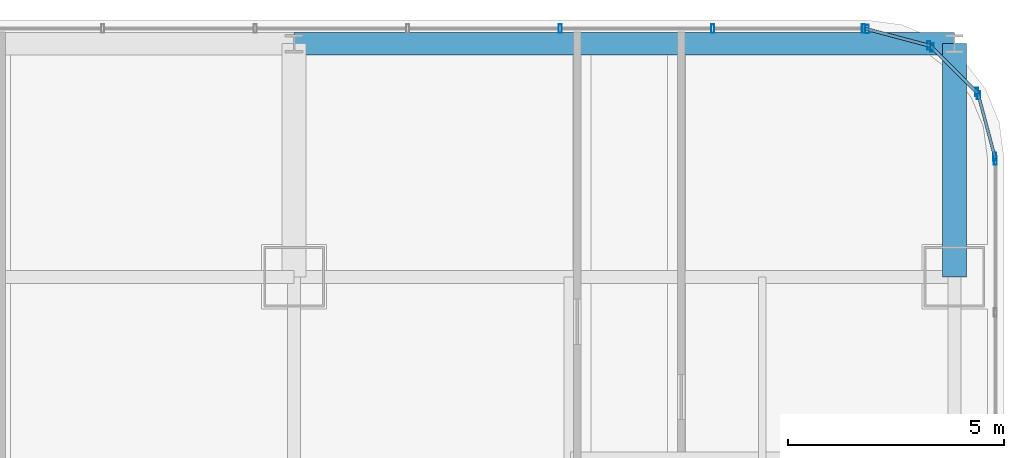
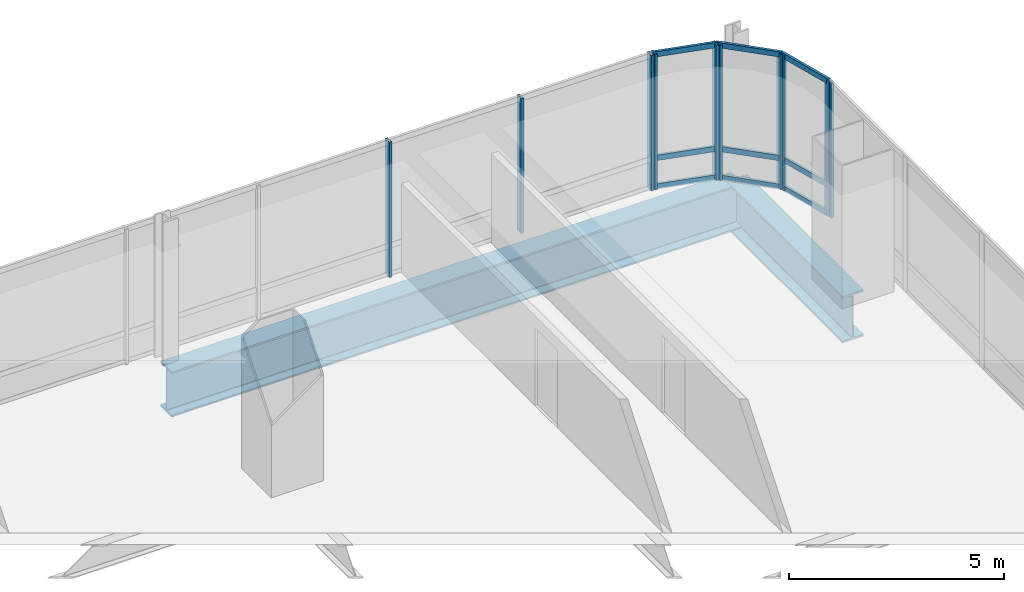
# One storey, part 27 of 37: 19 members, 2 beams, 5 elements without a shape of their own.
"""IFC4 building model written with IfcOpenShell, lengths in metres."""

import ifcopenshell
import ifcopenshell.guid

model = None  # the IFC model being written
_history = None  # IfcOwnerHistory: only IFC2X3 demands one
_inside = {}  # id of a spatial element -> (the spatial element, [elements in it])
_under = {}  # id of a project, library or spatial element -> (it, [spatial elements below it])
_declared = {}  # id of a project -> (the project, [libraries it declares])
_typed = {}  # id of a type object -> (the type object, [elements of that type])
_made_of = {}  # id of a material, layer set ... -> (it, [elements and type objects made of it])


def new_model(schema):
    """Start an empty IFC model of exactly this schema.

    Asked for "IFC4X3", IfcOpenShell would pick the latest addendum, in which some entities
    have other attributes; the version numbers below select the first issue.
    IFC2X3 requires an IfcOwnerHistory on every rooted entity: one is made here for all.
    """
    global model, _history
    if schema == "IFC4X3":
        model = ifcopenshell.file(schema_version=(4, 3, 0, 0))
    else:
        model = ifcopenshell.file(schema=schema)
    _inside.clear()
    _under.clear()
    _declared.clear()
    _typed.clear()
    _made_of.clear()
    _history = None
    if model.schema == "IFC2X3":
        org = make("IfcOrganization", Name="unknown")
        user = make(
            "IfcPersonAndOrganization",
            ThePerson=make("IfcPerson", FamilyName="unknown"),
            TheOrganization=org,
        )
        app = make(
            "IfcApplication",
            ApplicationDeveloper=org,
            Version="unknown",
            ApplicationFullName="unknown",
            ApplicationIdentifier="unknown",
        )
        _history = make(
            "IfcOwnerHistory",
            OwningUser=user,
            OwningApplication=app,
            ChangeAction="ADDED",
            CreationDate=0,
        )
    return model


def make(cls, **values):
    """One entity of the class cls with the attributes given. An attribute that is None is left unset."""
    return model.create_entity(
        cls, **{name: value for name, value in values.items() if value is not None}
    )


def rooted(cls, **values):
    """An entity with a GlobalId (a new one), such as an element, a storey or a relation."""
    return make(cls, GlobalId=ifcopenshell.guid.new(), OwnerHistory=_history, **values)


def si_unit(unit_type, name, prefix=None):
    """IfcSIUnit, for example si_unit("LENGTHUNIT", "METRE", prefix="MILLI")."""
    return make("IfcSIUnit", UnitType=unit_type, Prefix=prefix, Name=name)


def assignment(units):
    """IfcUnitAssignment: the units of a project."""
    return None if units is None else make("IfcUnitAssignment", Units=units)


def point(xyz):
    """IfcCartesianPoint."""
    return None if xyz is None else make("IfcCartesianPoint", Coordinates=xyz)


def direction(xyz):
    """IfcDirection."""
    return None if xyz is None else make("IfcDirection", DirectionRatios=xyz)


def frame(location, z_axis=None, x_axis=None):
    """IfcAxis2Placement3D, a coordinate frame: its origin and axes. An axis left out is left unset."""
    return make(
        "IfcAxis2Placement3D",
        Location=point(location),
        Axis=direction(z_axis),
        RefDirection=direction(x_axis),
    )


def frame_2d(location, x_axis=None):
    """IfcAxis2Placement2D, a coordinate frame in the plane: its origin and x axis."""
    return make(
        "IfcAxis2Placement2D", Location=point(location), RefDirection=direction(x_axis)
    )


def origin():
    """The frame at (0, 0, 0) with its axes left unset."""
    return frame((0.0, 0.0, 0.0))


def origin_2d():
    """The frame at (0, 0) in the plane with its x axis left unset."""
    return frame_2d((0.0, 0.0))


def place(relative_to, where):
    """IfcLocalPlacement: puts the frame where relative to a parent placement (None: the world)."""
    return make(
        "IfcLocalPlacement", PlacementRelTo=relative_to, RelativePlacement=where
    )


def context(
    kind, dimensions, precision=None, world=None, true_north=None, identifier=None
):
    """IfcGeometricRepresentationContext, for example the 3D "Model" context."""
    return make(
        "IfcGeometricRepresentationContext",
        ContextIdentifier=identifier,
        ContextType=kind,
        CoordinateSpaceDimension=dimensions,
        Precision=precision,
        WorldCoordinateSystem=world,
        TrueNorth=true_north,
    )


def subcontext(parent, identifier, kind, view, scale=None):
    """IfcGeometricRepresentationSubContext, for example "Body" below "Model"."""
    return make(
        "IfcGeometricRepresentationSubContext",
        ContextIdentifier=identifier,
        ContextType=kind,
        ParentContext=parent,
        TargetScale=scale,
        TargetView=view,
    )


def project(units=None, contexts=None):
    """IfcProject with its units and contexts."""
    return rooted(
        "IfcProject",
        Name="project",
        RepresentationContexts=contexts,
        UnitsInContext=assignment(units),
    )


def spatial(cls, under=None, at=None, **own):
    """A site, building, storey or space (cls), placed at a placement, below another one or the project."""
    s = rooted(cls, ObjectPlacement=at, **own)
    if under is not None:
        _under.setdefault(under.id(), (under, []))[1].append(s)
    return s


def profile(cls, at=None, kind="AREA", **sizes):
    """A parametric profile (cls). Its sizes go by their IFC names, for example OverallWidth=200.0."""
    return make(cls, ProfileType=kind, Position=at, **sizes)


def hollow_rectangle(**sizes):
    """IfcRectangleHollowProfileDef."""
    return profile("IfcRectangleHollowProfileDef", **sizes)


def i_section(**sizes):
    """IfcIShapeProfileDef."""
    return profile("IfcIShapeProfileDef", **sizes)


def extrude(swept, where, along, depth):
    """IfcExtrudedAreaSolid: the profile swept, set in the frame where, extruded along a direction by depth."""
    return make(
        "IfcExtrudedAreaSolid",
        SweptArea=swept,
        Position=where,
        ExtrudedDirection=direction(along),
        Depth=depth,
    )


def shape(context_of_items, identifier, shape_type, items):
    """IfcShapeRepresentation: the items that make up one representation, for example the "Body"."""
    return make(
        "IfcShapeRepresentation",
        ContextOfItems=context_of_items,
        RepresentationIdentifier=identifier,
        RepresentationType=shape_type,
        Items=items,
    )


def material(Name=None, Category=None):
    """IfcMaterial."""
    return make("IfcMaterial", Name=Name, Category=Category)


def material_profile(
    of_material, cross_section, Name=None, Category=None, Priority=None
):
    """IfcMaterialProfile: a cross section and its material."""
    return make(
        "IfcMaterialProfile",
        Name=Name,
        Material=of_material,
        Profile=cross_section,
        Priority=Priority,
        Category=Category,
    )


def profile_set(profiles, Name=None, composite=None):
    """IfcMaterialProfileSet."""
    return make(
        "IfcMaterialProfileSet",
        Name=Name,
        MaterialProfiles=profiles,
        CompositeProfile=composite,
    )


def made_of(thing, what):
    """Note that an element or type object is made of a material, layer set ...; save() writes the relation."""
    if what is not None:
        _made_of.setdefault(what.id(), (what, []))[1].append(thing)
    return thing


def type_object(cls, material=None, **own):
    """A type object (cls), such as IfcWallType, which elements share."""
    return made_of(rooted(cls, **own), material)


def element(
    cls,
    number,
    at=None,
    inside=None,
    cuts=None,
    type_object=None,
    material=None,
    context=None,
    identifier="Body",
    shape_type=None,
    held_by="IfcProductDefinitionShape",
    body=None,
    shapes=None,
    **own,
):
    """One element of the class cls, such as IfcWall. Its Tag is "e" and its number.

    at: its placement. inside: the storey or other place that contains it. cuts: it is an
    opening in that element (IfcRelVoidsElement). A single representation is given by context,
    identifier, shape_type and body (its items); several are given by shapes. held_by: the class
    of the entity that holds the representations. save() writes the other relations.
    """
    e = rooted(cls, Tag="e%d" % number, ObjectPlacement=at, **own)
    if body is not None:
        shapes = [shape(context, identifier, shape_type, body)]
    if shapes is not None:
        e.Representation = make(held_by, Representations=shapes)
    if inside is not None:
        _inside.setdefault(inside.id(), (inside, []))[1].append(e)
    if cuts is not None:
        rooted(
            "IfcRelVoidsElement", RelatingBuildingElement=cuts, RelatedOpeningElement=e
        )
    if type_object is not None:
        _typed.setdefault(type_object.id(), (type_object, []))[1].append(e)
    return made_of(e, material)


def aggregate(whole, parts):
    """IfcRelAggregates: a whole, such as a stair, and the parts it consists of."""
    return rooted("IfcRelAggregates", RelatingObject=whole, RelatedObjects=parts)


def save(model, path):
    """Write the relations noted so far, then the file.

    IfcRelAggregates (storeys below a building ...), IfcRelContainedInSpatialStructure (elements
    in a storey), IfcRelDefinesByType, IfcRelAssociatesMaterial and IfcRelDeclares: one each for
    every whole, place, type object, material and project.
    """
    for whole, parts in _under.values():
        aggregate(whole, parts)
    for where, things in _inside.values():
        rooted(
            "IfcRelContainedInSpatialStructure",
            RelatedElements=things,
            RelatingStructure=where,
        )
    for kind, things in _typed.values():
        rooted("IfcRelDefinesByType", RelatedObjects=things, RelatingType=kind)
    for what, things in _made_of.values():
        rooted("IfcRelAssociatesMaterial", RelatedObjects=things, RelatingMaterial=what)
    for by, libraries in _declared.values():
        rooted("IfcRelDeclares", RelatingContext=by, RelatedDefinitions=libraries)
    model.write(path)


model = new_model("IFC4")

# Units and contexts
model_context = context("Model", 3, precision=1e-05, world=origin(), true_north=direction((0.0, 1.0)))
body_context = subcontext(model_context, "Body", "Model", "MODEL_VIEW")
ifc_project = project(units=[si_unit("LENGTHUNIT", "METRE"), si_unit("AREAUNIT", "SQUARE_METRE"), si_unit("VOLUMEUNIT", "CUBIC_METRE"), si_unit("PLANEANGLEUNIT", "RADIAN"), si_unit("MASSUNIT", "GRAM", prefix="KILO")], contexts=[model_context])

# Site, building, storey
site_placement = place(None, origin())
site = spatial("IfcSite", under=ifc_project, at=site_placement, CompositionType="ELEMENT")
building_placement = place(site_placement, origin())
building = spatial("IfcBuilding", under=site, at=building_placement, Name="Punatoya Terracotta Tower", CompositionType="ELEMENT")
storey_placement = place(building_placement, frame((0.0, 0.0, 164.10009765625)))
storey = spatial("IfcBuildingStorey", under=building, at=storey_placement, Name="L38", CompositionType="ELEMENT", Elevation=164.10009765625)

# Beams
ifc_material_1 = material(Name="Steel S460", Category="steel")
ifc_material_profile_1 = material_profile(ifc_material_1, i_section(OverallWidth=0.56005859375, OverallDepth=1.320068359375, WebThickness=0.035888671875, FlangeThickness=0.054931640625, FilletRadius=0.01806640625, at=origin_2d()))
ifc_profile_set_1 = profile_set([ifc_material_profile_1], Name="Steel S460")
beam_type_1 = type_object("IfcBeamType", Name="BM-TG-BLK", PredefinedType="BEAM", material=ifc_profile_set_1)
beam_1_placement = place(storey_placement, frame((19.10009765625, 17.5, -0.880126953125), z_axis=(0.0, 1.0, 0.0), x_axis=(-1.0, 0.0, 0.0)))
element("IfcBeam", 1, at=beam_1_placement, inside=storey, type_object=beam_type_1, Name="BM-L38-CANT-N4", PredefinedType="BEAM", context=body_context, shape_type="SweptSolid", body=[
    extrude(i_section(OverallWidth=0.56005859375, OverallDepth=1.320068359375, WebThickness=0.035888671875, FlangeThickness=0.054931640625, FilletRadius=0.01806640625, at=origin_2d()), origin(), (0.0, 0.0, 1.0), 5.39990234375),
])
ifc_material_profile_2 = material_profile(ifc_material_1, i_section(OverallWidth=0.52001953125, OverallDepth=1.280029296875, WebThickness=0.031982421875, FlangeThickness=0.050048828125, FilletRadius=0.01806640625, at=origin_2d()))
ifc_profile_set_2 = profile_set([ifc_material_profile_2], Name="Steel S460")
beam_type_2 = type_object("IfcBeamType", Name="BM-TG-NCK", PredefinedType="BEAM", material=ifc_profile_set_2)
beam_2_placement = place(storey_placement, frame((3.800048828125, 22.89990234375, -0.860107421875), z_axis=(1.0, 0.0, 0.0), x_axis=(0.0, 1.0, 0.0)))
element("IfcBeam", 2, at=beam_2_placement, inside=storey, type_object=beam_type_2, Name="BM-L38-PER-N3", PredefinedType="BEAM", context=body_context, shape_type="SweptSolid", body=[
    extrude(i_section(OverallWidth=0.52001953125, OverallDepth=1.280029296875, WebThickness=0.031982421875, FlangeThickness=0.050048828125, FilletRadius=0.01806640625, at=origin_2d()), origin(), (0.0, 0.0, 1.0), 15.300048828125),
])

# Curtain wall, member
ifc_material_2 = material(Name="Aluminium 6063-T6 + Double Low-E Glass", Category="aluminium")
curtain_wall_type = type_object("IfcCurtainWallType", Name="CW-M2", PredefinedType="NOTDEFINED", material=ifc_material_2)
curtain_wall_1_placement = place(storey_placement, origin())
curtain_wall_1 = element("IfcCurtainWall", 3, at=curtain_wall_1_placement, inside=storey, type_object=curtain_wall_type, Name="L38 Curtain Wall CW-L38-E05-1", PredefinedType="NOTDEFINED")
ifc_material_3 = material(Name="Aluminium 6063-T6", Category="aluminium")
ifc_material_profile_3 = material_profile(ifc_material_3, hollow_rectangle(XDim=0.072021484375, YDim=0.195068359375, WallThickness=0.00439453125, at=origin_2d()))
ifc_profile_set_3 = profile_set([ifc_material_profile_3], Name="Aluminium 6063-T6")
member_type_1 = type_object("IfcMemberType", Name="CW-MUL-M2", PredefinedType="MULLION", material=ifc_profile_set_3)
member_1_placement = place(storey_placement, frame((20.050048828125, 20.19189453125, 0.0), z_axis=(0.0, 0.0, 1.0), x_axis=(1.0, 0.0, 0.0)))
member_1 = element("IfcMember", 4, at=member_1_placement, type_object=member_type_1, Name="CW-L38-E05-1 Mullion 10", PredefinedType="MULLION", context=body_context, shape_type="SweptSolid", body=[
    extrude(hollow_rectangle(XDim=0.072021484375, YDim=0.195068359375, WallThickness=0.00439453125, at=origin_2d()), origin(), (0.0, 0.0, 1.0), 3.829833984375),
])
aggregate(curtain_wall_1, [member_1])

# Curtain wall, members
curtain_wall_2_placement = place(storey_placement, origin())
curtain_wall_2 = element("IfcCurtainWall", 5, at=curtain_wall_2_placement, inside=storey, type_object=curtain_wall_type, Name="L38 Curtain Wall CW-L38-CRN06", PredefinedType="NOTDEFINED")
member_2_placement = place(storey_placement, frame((20.038330078125, 20.280517578125, 0.0), z_axis=(0.0, 0.0, 1.0), x_axis=(1.0, 0.0, 0.0)))
member_2 = element("IfcMember", 6, at=member_2_placement, type_object=member_type_1, Name="CW-L38-CRN06 Mullion 00", PredefinedType="MULLION", context=body_context, shape_type="SweptSolid", body=[
    extrude(hollow_rectangle(XDim=0.072021484375, YDim=0.195068359375, WallThickness=0.00439453125, at=origin_2d()), origin(), (0.0, 0.0, 1.0), 3.829833984375),
])
member_3_placement = place(storey_placement, frame((19.658203125, 21.70556640625, 0.0), z_axis=(0.0, 0.0, 1.0), x_axis=(1.0, 0.0, 0.0)))
member_3 = element("IfcMember", 7, at=member_3_placement, type_object=member_type_1, Name="CW-L38-CRN06 Mullion 01", PredefinedType="MULLION", context=body_context, shape_type="SweptSolid", body=[
    extrude(hollow_rectangle(XDim=0.072021484375, YDim=0.195068359375, WallThickness=0.00439453125, at=origin_2d()), origin(), (0.0, 0.0, 1.0), 3.829833984375),
])

curtain_wall_3_placement = place(storey_placement, origin())
curtain_wall_3 = element("IfcCurtainWall", 8, at=curtain_wall_3_placement, inside=storey, type_object=curtain_wall_type, Name="L38 Curtain Wall CW-L38-CRN07", PredefinedType="NOTDEFINED")
member_4_placement = place(storey_placement, frame((19.61474609375, 21.781005859375, 0.0), z_axis=(0.0, 0.0, 1.0), x_axis=(1.0, 0.0, 0.0)))
member_4 = element("IfcMember", 9, at=member_4_placement, type_object=member_type_1, Name="CW-L38-CRN07 Mullion 00", PredefinedType="MULLION", context=body_context, shape_type="SweptSolid", body=[
    extrude(hollow_rectangle(XDim=0.072021484375, YDim=0.195068359375, WallThickness=0.00439453125, at=origin_2d()), origin(), (0.0, 0.0, 1.0), 3.829833984375),
])
member_5_placement = place(storey_placement, frame((18.580810546875, 22.814697265625, 0.0), z_axis=(0.0, 0.0, 1.0), x_axis=(1.0, 0.0, 0.0)))
member_5 = element("IfcMember", 10, at=member_5_placement, type_object=member_type_1, Name="CW-L38-CRN07 Mullion 01", PredefinedType="MULLION", context=body_context, shape_type="SweptSolid", body=[
    extrude(hollow_rectangle(XDim=0.072021484375, YDim=0.195068359375, WallThickness=0.00439453125, at=origin_2d()), origin(), (0.0, 0.0, 1.0), 3.829833984375),
])

curtain_wall_4_placement = place(storey_placement, origin())
curtain_wall_4 = element("IfcCurtainWall", 11, at=curtain_wall_4_placement, inside=storey, type_object=curtain_wall_type, Name="L38 Curtain Wall CW-L38-CRN08", PredefinedType="NOTDEFINED")
member_6_placement = place(storey_placement, frame((18.505615234375, 22.858154296875, 0.0), z_axis=(0.0, 0.0, 1.0), x_axis=(1.0, 0.0, 0.0)))
member_6 = element("IfcMember", 12, at=member_6_placement, type_object=member_type_1, Name="CW-L38-CRN08 Mullion 00", PredefinedType="MULLION", context=body_context, shape_type="SweptSolid", body=[
    extrude(hollow_rectangle(XDim=0.072021484375, YDim=0.195068359375, WallThickness=0.00439453125, at=origin_2d()), origin(), (0.0, 0.0, 1.0), 3.829833984375),
])
member_7_placement = place(storey_placement, frame((17.080322265625, 23.23828125, 0.0), z_axis=(0.0, 0.0, 1.0), x_axis=(1.0, 0.0, 0.0)))
member_7 = element("IfcMember", 13, at=member_7_placement, type_object=member_type_1, Name="CW-L38-CRN08 Mullion 01", PredefinedType="MULLION", context=body_context, shape_type="SweptSolid", body=[
    extrude(hollow_rectangle(XDim=0.072021484375, YDim=0.195068359375, WallThickness=0.00439453125, at=origin_2d()), origin(), (0.0, 0.0, 1.0), 3.829833984375),
])

curtain_wall_5_placement = place(storey_placement, origin())
curtain_wall_5 = element("IfcCurtainWall", 14, at=curtain_wall_5_placement, inside=storey, type_object=curtain_wall_type, Name="L38 Curtain Wall CW-L38-N09-1", PredefinedType="NOTDEFINED")
member_8_placement = place(storey_placement, frame((16.991943359375, 23.25, 0.0), z_axis=(0.0, 0.0, 1.0), x_axis=(1.0, 0.0, 0.0)))
member_8 = element("IfcMember", 15, at=member_8_placement, type_object=member_type_1, Name="CW-L38-N09-1 Mullion 00", PredefinedType="MULLION", context=body_context, shape_type="SweptSolid", body=[
    extrude(hollow_rectangle(XDim=0.072021484375, YDim=0.195068359375, WallThickness=0.00439453125, at=origin_2d()), origin(), (0.0, 0.0, 1.0), 3.829833984375),
])
member_9_placement = place(storey_placement, frame((13.5029296875, 23.25, 0.0), z_axis=(0.0, 0.0, 1.0), x_axis=(1.0, 0.0, 0.0)))
member_9 = element("IfcMember", 16, at=member_9_placement, type_object=member_type_1, Name="CW-L38-N09-1 Mullion 01", PredefinedType="MULLION", context=body_context, shape_type="SweptSolid", body=[
    extrude(hollow_rectangle(XDim=0.072021484375, YDim=0.195068359375, WallThickness=0.00439453125, at=origin_2d()), origin(), (0.0, 0.0, 1.0), 3.829833984375),
])
member_10_placement = place(storey_placement, frame((9.968994140625, 23.25, 0.0), z_axis=(0.0, 0.0, 1.0), x_axis=(1.0, 0.0, 0.0)))
member_10 = element("IfcMember", 17, at=member_10_placement, type_object=member_type_1, Name="CW-L38-N09-1 Mullion 02", PredefinedType="MULLION", context=body_context, shape_type="SweptSolid", body=[
    extrude(hollow_rectangle(XDim=0.072021484375, YDim=0.195068359375, WallThickness=0.00439453125, at=origin_2d()), origin(), (0.0, 0.0, 1.0), 3.829833984375),
])
aggregate(curtain_wall_5, [member_8, member_9, member_10])

# Member
ifc_material_profile_4 = material_profile(ifc_material_3, hollow_rectangle(XDim=0.068115234375, YDim=0.14990234375, WallThickness=0.00390625, at=origin_2d()))
ifc_profile_set_4 = profile_set([ifc_material_profile_4], Name="Aluminium 6063-T6")
member_type_2 = type_object("IfcMemberType", Name="CW-TRN-TYP", PredefinedType="USERDEFINED", material=ifc_profile_set_4)
member_11_placement = place(storey_placement, frame((20.050048828125, 20.23681640625, 0.039794921875), z_axis=(-0.257847112249, 0.966185730957, 0.0), x_axis=(-0.966185730957, -0.257847112249, 0.0)))
member_11 = element("IfcMember", 18, at=member_11_placement, type_object=member_type_2, Name="CW-L38-CRN06 Transom 1", ObjectType="TRANSOM", PredefinedType="USERDEFINED", context=body_context, shape_type="SweptSolid", body=[
    extrude(hollow_rectangle(XDim=0.068115234375, YDim=0.14990234375, WallThickness=0.00390625, at=origin_2d()), origin(), (0.0, 0.0, 1.0), 1.565185546875),
])

member_12_placement = place(storey_placement, frame((20.050048828125, 20.23681640625, 0.849853515625), z_axis=(-0.257847112249, 0.966185730957, 0.0), x_axis=(-0.966185730957, -0.257847112249, 0.0)))
member_12 = element("IfcMember", 19, at=member_12_placement, type_object=member_type_2, Name="CW-L38-CRN06 Transom 2", ObjectType="TRANSOM", PredefinedType="USERDEFINED", context=body_context, shape_type="SweptSolid", body=[
    extrude(hollow_rectangle(XDim=0.068115234375, YDim=0.14990234375, WallThickness=0.00390625, at=origin_2d()), origin(), (0.0, 0.0, 1.0), 1.565185546875),
])

member_13_placement = place(storey_placement, frame((20.050048828125, 20.23681640625, 3.789794921875), z_axis=(-0.257847112249, 0.966185730957, 0.0), x_axis=(-0.966185730957, -0.257847112249, 0.0)))
member_13 = element("IfcMember", 20, at=member_13_placement, type_object=member_type_2, Name="CW-L38-CRN06 Transom 3", ObjectType="TRANSOM", PredefinedType="USERDEFINED", context=body_context, shape_type="SweptSolid", body=[
    extrude(hollow_rectangle(XDim=0.068115234375, YDim=0.14990234375, WallThickness=0.00390625, at=origin_2d()), origin(), (0.0, 0.0, 1.0), 1.565185546875),
])

aggregate(curtain_wall_2, [member_2, member_3, member_11, member_12, member_13])

member_14_placement = place(storey_placement, frame((19.646484375, 21.7490234375, 0.039794921875), z_axis=(-0.707028130747, 0.707185422879, 0.0), x_axis=(-0.707185422879, -0.707028130747, 0.0)))
member_14 = element("IfcMember", 21, at=member_14_placement, type_object=member_type_2, Name="CW-L38-CRN07 Transom 1", ObjectType="TRANSOM", PredefinedType="USERDEFINED", context=body_context, shape_type="SweptSolid", body=[
    extrude(hollow_rectangle(XDim=0.068115234375, YDim=0.14990234375, WallThickness=0.00390625, at=origin_2d()), origin(), (0.0, 0.0, 1.0), 1.55224609375),
])

member_15_placement = place(storey_placement, frame((19.646484375, 21.7490234375, 0.849853515625), z_axis=(-0.707028130747, 0.707185422879, 0.0), x_axis=(-0.707185422879, -0.707028130747, 0.0)))
member_15 = element("IfcMember", 22, at=member_15_placement, type_object=member_type_2, Name="CW-L38-CRN07 Transom 2", ObjectType="TRANSOM", PredefinedType="USERDEFINED", context=body_context, shape_type="SweptSolid", body=[
    extrude(hollow_rectangle(XDim=0.068115234375, YDim=0.14990234375, WallThickness=0.00390625, at=origin_2d()), origin(), (0.0, 0.0, 1.0), 1.55224609375),
])

member_16_placement = place(storey_placement, frame((19.646484375, 21.7490234375, 3.789794921875), z_axis=(-0.707028130747, 0.707185422879, 0.0), x_axis=(-0.707185422879, -0.707028130747, 0.0)))
member_16 = element("IfcMember", 23, at=member_16_placement, type_object=member_type_2, Name="CW-L38-CRN07 Transom 3", ObjectType="TRANSOM", PredefinedType="USERDEFINED", context=body_context, shape_type="SweptSolid", body=[
    extrude(hollow_rectangle(XDim=0.068115234375, YDim=0.14990234375, WallThickness=0.00390625, at=origin_2d()), origin(), (0.0, 0.0, 1.0), 1.55224609375),
])

aggregate(curtain_wall_3, [member_4, member_5, member_14, member_15, member_16])

member_17_placement = place(storey_placement, frame((18.549072265625, 22.8466796875, 0.039794921875), z_axis=(-0.966224582397, 0.257701486942, 0.0), x_axis=(-0.257701486942, -0.966224582397, 0.0)))
member_17 = element("IfcMember", 24, at=member_17_placement, type_object=member_type_2, Name="CW-L38-CRN08 Transom 1", ObjectType="TRANSOM", PredefinedType="USERDEFINED", context=body_context, shape_type="SweptSolid", body=[
    extrude(hollow_rectangle(XDim=0.068115234375, YDim=0.14990234375, WallThickness=0.00390625, at=origin_2d()), origin(), (0.0, 0.0, 1.0), 1.565185546875),
])

member_18_placement = place(storey_placement, frame((18.549072265625, 22.8466796875, 0.849853515625), z_axis=(-0.966224582397, 0.257701486942, 0.0), x_axis=(-0.257701486942, -0.966224582397, 0.0)))
member_18 = element("IfcMember", 25, at=member_18_placement, type_object=member_type_2, Name="CW-L38-CRN08 Transom 2", ObjectType="TRANSOM", PredefinedType="USERDEFINED", context=body_context, shape_type="SweptSolid", body=[
    extrude(hollow_rectangle(XDim=0.068115234375, YDim=0.14990234375, WallThickness=0.00390625, at=origin_2d()), origin(), (0.0, 0.0, 1.0), 1.565185546875),
])

member_19_placement = place(storey_placement, frame((18.549072265625, 22.8466796875, 3.789794921875), z_axis=(-0.966224582397, 0.257701486942, 0.0), x_axis=(-0.257701486942, -0.966224582397, 0.0)))
member_19 = element("IfcMember", 26, at=member_19_placement, type_object=member_type_2, Name="CW-L38-CRN08 Transom 3", ObjectType="TRANSOM", PredefinedType="USERDEFINED", context=body_context, shape_type="SweptSolid", body=[
    extrude(hollow_rectangle(XDim=0.068115234375, YDim=0.14990234375, WallThickness=0.00390625, at=origin_2d()), origin(), (0.0, 0.0, 1.0), 1.565185546875),
])

aggregate(curtain_wall_4, [member_6, member_7, member_17, member_18, member_19])

save(model, "model.ifc")
